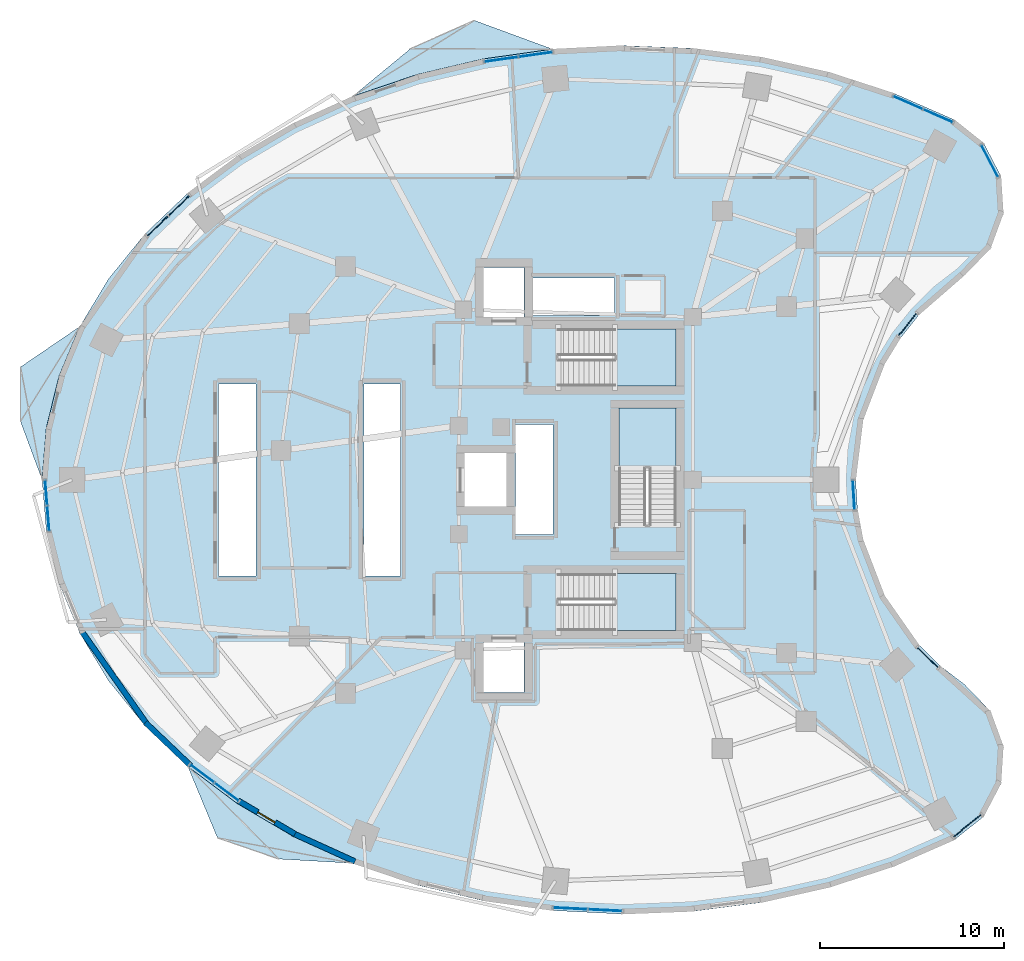
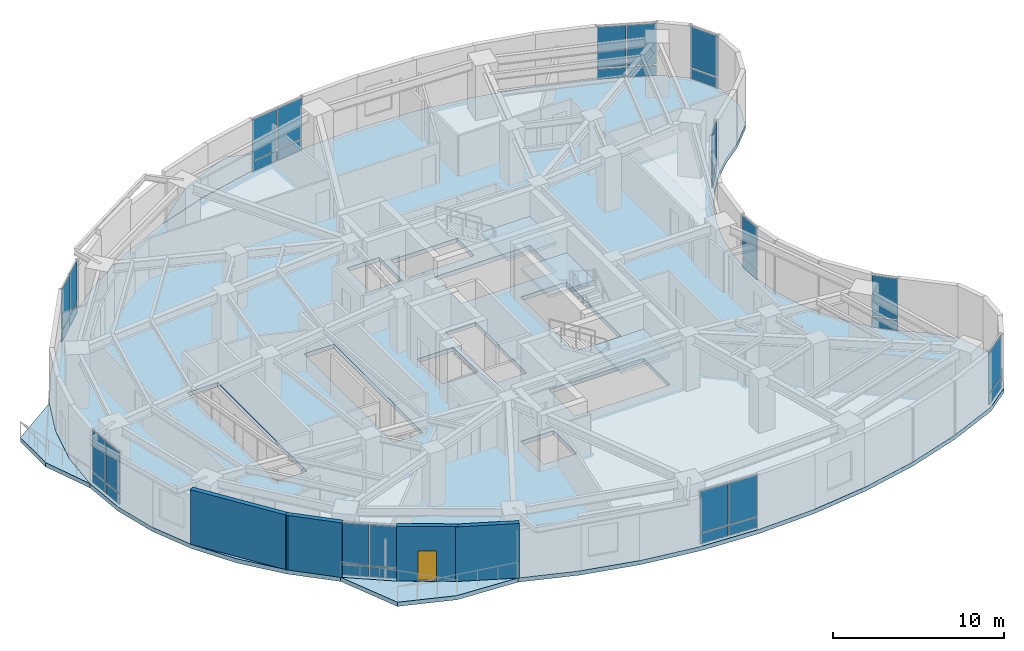
# One storey, part 7 of 14: 34 plates, 7 slabs, 4 walls, 1 door, 1 opening, 14 elements without a shape of their own.
"""IFC4 building model written with IfcOpenShell, lengths in metres."""

from ifc_helpers import new_model, si_unit, direction, frame, frame_2d, origin, origin_2d, place, context, subcontext, project, spatial, polyline, rectangle, outline, extrude, material, layer, layer_set, type_object, element, fill, aggregate, save


model = new_model("IFC4")

# Units and contexts
model_context = context("Model", 3, precision=1e-05, world=origin(), true_north=direction((0.0, 1.0)))
body_context = subcontext(model_context, "Body", "Model", "MODEL_VIEW")
ifc_project = project(units=[si_unit("LENGTHUNIT", "METRE"), si_unit("AREAUNIT", "SQUARE_METRE"), si_unit("VOLUMEUNIT", "CUBIC_METRE"), si_unit("PLANEANGLEUNIT", "RADIAN"), si_unit("MASSUNIT", "GRAM", prefix="KILO")], contexts=[model_context])

# Site, building, storey
site_placement = place(None, origin())
site = spatial("IfcSite", under=ifc_project, at=site_placement, CompositionType="ELEMENT")
building_placement = place(site_placement, origin())
building = spatial("IfcBuilding", under=site, at=building_placement, Name="Korentha Bioscience Tower", CompositionType="ELEMENT")
storey_placement = place(building_placement, frame((0.0, 0.0, 51.0)))
storey = spatial("IfcBuildingStorey", under=building, at=storey_placement, Name="L11", CompositionType="ELEMENT", Elevation=51.0)

# Curtain wall, plates
ifc_material_1 = material(Name="Thermally Broken Aluminium Frame", Category="aluminium")
ifc_layer_1 = layer(ifc_material_1, 0.219970703125, Name="Thermally Broken Aluminium Frame")
ifc_layer_set_1 = layer_set([ifc_layer_1], Name="Thermally Broken Aluminium Frame (CW-T1)")
curtain_wall_type = type_object("IfcCurtainWallType", Name="Standard Bioscience Lab Unitised Curtain Wall CW-T1", PredefinedType="USERDEFINED", material=ifc_layer_set_1)
curtain_wall_1_placement = place(storey_placement, origin())
curtain_wall_1 = element("IfcCurtainWall", 1, at=curtain_wall_1_placement, inside=storey, type_object=curtain_wall_type, Name="L11 Curtain Wall 01", ObjectType="UNITISED", PredefinedType="USERDEFINED")
ifc_material_2 = material(Name="Triple-Glazed Low-E Insulated Glass", Category="glass")
ifc_layer_2 = layer(ifc_material_2, 0.0439453125, Name="Triple-Glazed Low-E Insulated Glass")
ifc_layer_set_2 = layer_set([ifc_layer_2], Name="Triple-Glazed Low-E Insulated Glass (GL-44)")
plate_type = type_object("IfcPlateType", Name="Glazed Panel 44mm", PredefinedType="CURTAIN_PANEL", material=ifc_layer_set_2)
plate_1_placement = place(storey_placement, frame((50.893310546875, 46.780029296875, 0.08984375), z_axis=(0.0, 0.0, 1.0), x_axis=(-0.91593909057, 0.401317308828, 0.0)))
plate_1 = element("IfcPlate", 2, at=plate_1_placement, type_object=plate_type, Name="CW-L11-01 Bay 1 Glazed Panel 1", PredefinedType="CURTAIN_PANEL", context=body_context, shape_type="SweptSolid", body=[
    extrude(rectangle(XDim=1.701171875, YDim=0.0439453125, at=origin_2d()), origin(), (0.0, 0.0, 1.0), 0.715087890625),
])
plate_2_placement = place(storey_placement, frame((50.893310546875, 46.780029296875, 0.89501953125), z_axis=(0.0, 0.0, 1.0), x_axis=(-0.91593909057, 0.401317308828, 0.0)))
plate_2 = element("IfcPlate", 3, at=plate_2_placement, type_object=plate_type, Name="CW-L11-01 Bay 1 Glazed Panel 2", PredefinedType="CURTAIN_PANEL", context=body_context, shape_type="SweptSolid", body=[
    extrude(rectangle(XDim=1.701171875, YDim=0.0439453125, at=origin_2d()), origin(), (0.0, 0.0, 1.0), 2.9150390625),
])
plate_3_placement = place(storey_placement, frame((49.25244140625, 47.498779296875, 0.08984375), z_axis=(0.0, 0.0, 1.0), x_axis=(-0.91593909057, 0.401317308828, 0.0)))
plate_3 = element("IfcPlate", 4, at=plate_3_placement, type_object=plate_type, Name="CW-L11-01 Bay 2 Glazed Panel 1", PredefinedType="CURTAIN_PANEL", context=body_context, shape_type="SweptSolid", body=[
    extrude(rectangle(XDim=1.701171875, YDim=0.0439453125, at=origin_2d()), origin(), (0.0, 0.0, 1.0), 0.715087890625),
])
plate_4_placement = place(storey_placement, frame((49.25244140625, 47.498779296875, 0.89501953125), z_axis=(0.0, 0.0, 1.0), x_axis=(-0.91593909057, 0.401317308828, 0.0)))
plate_4 = element("IfcPlate", 5, at=plate_4_placement, type_object=plate_type, Name="CW-L11-01 Bay 2 Glazed Panel 2", PredefinedType="CURTAIN_PANEL", context=body_context, shape_type="SweptSolid", body=[
    extrude(rectangle(XDim=1.701171875, YDim=0.0439453125, at=origin_2d()), origin(), (0.0, 0.0, 1.0), 2.9150390625),
])
aggregate(curtain_wall_1, [plate_1, plate_2, plate_3, plate_4])

curtain_wall_2_placement = place(storey_placement, origin())
curtain_wall_2 = element("IfcCurtainWall", 6, at=curtain_wall_2_placement, inside=storey, type_object=curtain_wall_type, Name="L11 Curtain Wall 07", ObjectType="UNITISED", PredefinedType="USERDEFINED")
plate_5_placement = place(storey_placement, frame((29.0224609375, 50.11572265625, 0.08984375), z_axis=(0.0, 0.0, 1.0), x_axis=(-0.990167372968, -0.139887717511, 0.0)))
plate_5 = element("IfcPlate", 7, at=plate_5_placement, type_object=plate_type, Name="CW-L11-07 Bay 1 Glazed Panel 1", PredefinedType="CURTAIN_PANEL", context=body_context, shape_type="SweptSolid", body=[
    extrude(rectangle(XDim=1.800537109375, YDim=0.0439453125, at=origin_2d()), origin(), (0.0, 0.0, 1.0), 0.715087890625),
])
plate_6_placement = place(storey_placement, frame((29.0224609375, 50.11572265625, 0.89501953125), z_axis=(0.0, 0.0, 1.0), x_axis=(-0.990167372968, -0.139887717511, 0.0)))
plate_6 = element("IfcPlate", 8, at=plate_6_placement, type_object=plate_type, Name="CW-L11-07 Bay 1 Glazed Panel 2", PredefinedType="CURTAIN_PANEL", context=body_context, shape_type="SweptSolid", body=[
    extrude(rectangle(XDim=1.800537109375, YDim=0.0439453125, at=origin_2d()), origin(), (0.0, 0.0, 1.0), 2.9150390625),
])
plate_7_placement = place(storey_placement, frame((27.150634765625, 49.851318359375, 0.08984375), z_axis=(0.0, 0.0, 1.0), x_axis=(-0.990167372968, -0.139887717511, 0.0)))
plate_7 = element("IfcPlate", 9, at=plate_7_placement, type_object=plate_type, Name="CW-L11-07 Bay 2 Glazed Panel 1", PredefinedType="CURTAIN_PANEL", context=body_context, shape_type="SweptSolid", body=[
    extrude(rectangle(XDim=1.800537109375, YDim=0.0439453125, at=origin_2d()), origin(), (0.0, 0.0, 1.0), 0.715087890625),
])
plate_8_placement = place(storey_placement, frame((27.150634765625, 49.851318359375, 0.89501953125), z_axis=(0.0, 0.0, 1.0), x_axis=(-0.990167372968, -0.139887717511, 0.0)))
plate_8 = element("IfcPlate", 10, at=plate_8_placement, type_object=plate_type, Name="CW-L11-07 Bay 2 Glazed Panel 2", PredefinedType="CURTAIN_PANEL", context=body_context, shape_type="SweptSolid", body=[
    extrude(rectangle(XDim=1.800537109375, YDim=0.0439453125, at=origin_2d()), origin(), (0.0, 0.0, 1.0), 2.9150390625),
])
aggregate(curtain_wall_2, [plate_5, plate_6, plate_7, plate_8])

curtain_wall_3_placement = place(storey_placement, origin())
curtain_wall_3 = element("IfcCurtainWall", 11, at=curtain_wall_3_placement, inside=storey, type_object=curtain_wall_type, Name="L11 Curtain Wall 13", ObjectType="UNITISED", PredefinedType="USERDEFINED")
plate_9_placement = place(storey_placement, frame((9.643798828125, 41.9091796875, 0.08984375), z_axis=(0.0, 0.0, 1.0), x_axis=(-0.723641761581, -0.690175775361, 0.0)))
plate_9 = element("IfcPlate", 12, at=plate_9_placement, type_object=plate_type, Name="CW-L11-13 Bay 1 Glazed Panel 1", PredefinedType="CURTAIN_PANEL", context=body_context, shape_type="SweptSolid", body=[
    extrude(rectangle(XDim=1.5263671875, YDim=0.0439453125, at=origin_2d()), origin(), (0.0, 0.0, 1.0), 0.715087890625),
])
plate_10_placement = place(storey_placement, frame((9.643798828125, 41.9091796875, 0.89501953125), z_axis=(0.0, 0.0, 1.0), x_axis=(-0.723641761581, -0.690175775361, 0.0)))
plate_10 = element("IfcPlate", 13, at=plate_10_placement, type_object=plate_type, Name="CW-L11-13 Bay 1 Glazed Panel 2", PredefinedType="CURTAIN_PANEL", context=body_context, shape_type="SweptSolid", body=[
    extrude(rectangle(XDim=1.5263671875, YDim=0.0439453125, at=origin_2d()), origin(), (0.0, 0.0, 1.0), 2.9150390625),
])
plate_11_placement = place(storey_placement, frame((8.47412109375, 40.793701171875, 0.08984375), z_axis=(0.0, 0.0, 1.0), x_axis=(-0.723641761581, -0.690175775361, 0.0)))
plate_11 = element("IfcPlate", 14, at=plate_11_placement, type_object=plate_type, Name="CW-L11-13 Bay 2 Glazed Panel 1", PredefinedType="CURTAIN_PANEL", context=body_context, shape_type="SweptSolid", body=[
    extrude(rectangle(XDim=1.5263671875, YDim=0.0439453125, at=origin_2d()), origin(), (0.0, 0.0, 1.0), 0.715087890625),
])
plate_12_placement = place(storey_placement, frame((8.47412109375, 40.793701171875, 0.89501953125), z_axis=(0.0, 0.0, 1.0), x_axis=(-0.723641761581, -0.690175775361, 0.0)))
plate_12 = element("IfcPlate", 15, at=plate_12_placement, type_object=plate_type, Name="CW-L11-13 Bay 2 Glazed Panel 2", PredefinedType="CURTAIN_PANEL", context=body_context, shape_type="SweptSolid", body=[
    extrude(rectangle(XDim=1.5263671875, YDim=0.0439453125, at=origin_2d()), origin(), (0.0, 0.0, 1.0), 2.9150390625),
])
aggregate(curtain_wall_3, [plate_9, plate_10, plate_11, plate_12])

curtain_wall_4_placement = place(storey_placement, origin())
curtain_wall_4 = element("IfcCurtainWall", 16, at=curtain_wall_4_placement, inside=storey, type_object=curtain_wall_type, Name="L11 Curtain Wall 19", ObjectType="UNITISED", PredefinedType="USERDEFINED")
plate_13_placement = place(storey_placement, frame((2.4169921875, 26.302734375, 0.08984375), z_axis=(0.0, 0.0, 1.0), x_axis=(0.080820466375, -0.996728675325, 0.0)))
plate_13 = element("IfcPlate", 17, at=plate_13_placement, type_object=plate_type, Name="CW-L11-19 Bay 1 Glazed Panel 1", PredefinedType="CURTAIN_PANEL", context=body_context, shape_type="SweptSolid", body=[
    extrude(rectangle(XDim=1.324951171875, YDim=0.0439453125, at=origin_2d()), origin(), (0.0, 0.0, 1.0), 0.715087890625),
])
plate_14_placement = place(storey_placement, frame((2.4169921875, 26.302734375, 0.89501953125), z_axis=(0.0, 0.0, 1.0), x_axis=(0.080820466375, -0.996728675325, 0.0)))
plate_14 = element("IfcPlate", 18, at=plate_14_placement, type_object=plate_type, Name="CW-L11-19 Bay 1 Glazed Panel 2", PredefinedType="CURTAIN_PANEL", context=body_context, shape_type="SweptSolid", body=[
    extrude(rectangle(XDim=1.324951171875, YDim=0.0439453125, at=origin_2d()), origin(), (0.0, 0.0, 1.0), 2.9150390625),
])
plate_15_placement = place(storey_placement, frame((2.531494140625, 24.892333984375, 0.08984375), z_axis=(0.0, 0.0, 1.0), x_axis=(0.080820466375, -0.996728675325, 0.0)))
plate_15 = element("IfcPlate", 19, at=plate_15_placement, type_object=plate_type, Name="CW-L11-19 Bay 2 Glazed Panel 1", PredefinedType="CURTAIN_PANEL", context=body_context, shape_type="SweptSolid", body=[
    extrude(rectangle(XDim=1.324951171875, YDim=0.0439453125, at=origin_2d()), origin(), (0.0, 0.0, 1.0), 0.715087890625),
])
plate_16_placement = place(storey_placement, frame((2.531494140625, 24.892333984375, 0.89501953125), z_axis=(0.0, 0.0, 1.0), x_axis=(0.080820466375, -0.996728675325, 0.0)))
plate_16 = element("IfcPlate", 20, at=plate_16_placement, type_object=plate_type, Name="CW-L11-19 Bay 2 Glazed Panel 2", PredefinedType="CURTAIN_PANEL", context=body_context, shape_type="SweptSolid", body=[
    extrude(rectangle(XDim=1.324951171875, YDim=0.0439453125, at=origin_2d()), origin(), (0.0, 0.0, 1.0), 2.9150390625),
])
aggregate(curtain_wall_4, [plate_13, plate_14, plate_15, plate_16])

curtain_wall_5_placement = place(storey_placement, origin())
curtain_wall_5 = element("IfcCurtainWall", 21, at=curtain_wall_5_placement, inside=storey, type_object=curtain_wall_type, Name="L11 Curtain Wall 25", ObjectType="UNITISED", PredefinedType="USERDEFINED")
plate_17_placement = place(storey_placement, frame((10.892578125, 11.037109375, 0.08984375), z_axis=(0.0, 0.0, 1.0), x_axis=(0.800797909614, -0.598934644145, 0.0)))
plate_17 = element("IfcPlate", 22, at=plate_17_placement, type_object=plate_type, Name="CW-L11-25 Bay 1 Glazed Panel 1", PredefinedType="CURTAIN_PANEL", context=body_context, shape_type="SweptSolid", body=[
    extrude(rectangle(XDim=1.58544921875, YDim=0.0439453125, at=origin_2d()), origin(), (0.0, 0.0, 1.0), 0.715087890625),
])
plate_18_placement = place(storey_placement, frame((10.892578125, 11.037109375, 0.89501953125), z_axis=(0.0, 0.0, 1.0), x_axis=(0.800797909614, -0.598934644145, 0.0)))
plate_18 = element("IfcPlate", 23, at=plate_18_placement, type_object=plate_type, Name="CW-L11-25 Bay 1 Glazed Panel 2", PredefinedType="CURTAIN_PANEL", context=body_context, shape_type="SweptSolid", body=[
    extrude(rectangle(XDim=1.58544921875, YDim=0.0439453125, at=origin_2d()), origin(), (0.0, 0.0, 1.0), 2.9150390625),
])
plate_19_placement = place(storey_placement, frame((12.234375, 10.033447265625, 0.08984375), z_axis=(0.0, 0.0, 1.0), x_axis=(0.800797909614, -0.598934644145, 0.0)))
plate_19 = element("IfcPlate", 24, at=plate_19_placement, type_object=plate_type, Name="CW-L11-25 Bay 2 Glazed Panel 1", PredefinedType="CURTAIN_PANEL", context=body_context, shape_type="SweptSolid", body=[
    extrude(rectangle(XDim=1.58544921875, YDim=0.0439453125, at=origin_2d()), origin(), (0.0, 0.0, 1.0), 0.715087890625),
])
plate_20_placement = place(storey_placement, frame((12.234375, 10.033447265625, 0.89501953125), z_axis=(0.0, 0.0, 1.0), x_axis=(0.800797909614, -0.598934644145, 0.0)))
plate_20 = element("IfcPlate", 25, at=plate_20_placement, type_object=plate_type, Name="CW-L11-25 Bay 2 Glazed Panel 2", PredefinedType="CURTAIN_PANEL", context=body_context, shape_type="SweptSolid", body=[
    extrude(rectangle(XDim=1.58544921875, YDim=0.0439453125, at=origin_2d()), origin(), (0.0, 0.0, 1.0), 2.9150390625),
])
aggregate(curtain_wall_5, [plate_17, plate_18, plate_19, plate_20])

curtain_wall_6_placement = place(storey_placement, origin())
curtain_wall_6 = element("IfcCurtainWall", 26, at=curtain_wall_6_placement, inside=storey, type_object=curtain_wall_type, Name="L11 Curtain Wall 31", ObjectType="UNITISED", PredefinedType="USERDEFINED")
plate_21_placement = place(storey_placement, frame((30.90478515625, 3.70458984375, 0.08984375), z_axis=(0.0, 0.0, 1.0), x_axis=(0.998730551641, -0.050371472279, 0.0)))
plate_21 = element("IfcPlate", 27, at=plate_21_placement, type_object=plate_type, Name="CW-L11-31 Bay 1 Glazed Panel 1", PredefinedType="CURTAIN_PANEL", context=body_context, shape_type="SweptSolid", body=[
    extrude(rectangle(XDim=1.8134765625, YDim=0.0439453125, at=origin_2d()), origin(), (0.0, 0.0, 1.0), 0.715087890625),
])
plate_22_placement = place(storey_placement, frame((30.90478515625, 3.70458984375, 0.89501953125), z_axis=(0.0, 0.0, 1.0), x_axis=(0.998730551641, -0.050371472279, 0.0)))
plate_22 = element("IfcPlate", 28, at=plate_22_placement, type_object=plate_type, Name="CW-L11-31 Bay 1 Glazed Panel 2", PredefinedType="CURTAIN_PANEL", context=body_context, shape_type="SweptSolid", body=[
    extrude(rectangle(XDim=1.8134765625, YDim=0.0439453125, at=origin_2d()), origin(), (0.0, 0.0, 1.0), 2.9150390625),
])
plate_23_placement = place(storey_placement, frame((32.805908203125, 3.608642578125, 0.08984375), z_axis=(0.0, 0.0, 1.0), x_axis=(0.998730551641, -0.050371472279, 0.0)))
plate_23 = element("IfcPlate", 29, at=plate_23_placement, type_object=plate_type, Name="CW-L11-31 Bay 2 Glazed Panel 1", PredefinedType="CURTAIN_PANEL", context=body_context, shape_type="SweptSolid", body=[
    extrude(rectangle(XDim=1.8134765625, YDim=0.0439453125, at=origin_2d()), origin(), (0.0, 0.0, 1.0), 0.715087890625),
])
plate_24_placement = place(storey_placement, frame((32.805908203125, 3.608642578125, 0.89501953125), z_axis=(0.0, 0.0, 1.0), x_axis=(0.998730551641, -0.050371472279, 0.0)))
plate_24 = element("IfcPlate", 30, at=plate_24_placement, type_object=plate_type, Name="CW-L11-31 Bay 2 Glazed Panel 2", PredefinedType="CURTAIN_PANEL", context=body_context, shape_type="SweptSolid", body=[
    extrude(rectangle(XDim=1.8134765625, YDim=0.0439453125, at=origin_2d()), origin(), (0.0, 0.0, 1.0), 2.9150390625),
])
aggregate(curtain_wall_6, [plate_21, plate_22, plate_23, plate_24])

curtain_wall_7_placement = place(storey_placement, origin())
curtain_wall_7 = element("IfcCurtainWall", 31, at=curtain_wall_7_placement, inside=storey, type_object=curtain_wall_type, Name="L11 Curtain Wall 37", ObjectType="UNITISED", PredefinedType="USERDEFINED")
plate_25_placement = place(storey_placement, frame((52.4755859375, 8.19140625, 0.08984375), z_axis=(0.0, 0.0, 1.0), x_axis=(0.782287851332, 0.62291710336, 0.0)))
plate_25 = element("IfcPlate", 32, at=plate_25_placement, type_object=plate_type, Name="CW-L11-37 Bay 1 Glazed Panel 1", PredefinedType="CURTAIN_PANEL", context=body_context, shape_type="SweptSolid", body=[
    extrude(rectangle(XDim=1.927734375, YDim=0.0439453125, at=origin_2d()), origin(), (0.0, 0.0, 1.0), 0.715087890625),
])
plate_26_placement = place(storey_placement, frame((52.4755859375, 8.19140625, 0.89501953125), z_axis=(0.0, 0.0, 1.0), x_axis=(0.782287851332, 0.62291710336, 0.0)))
plate_26 = element("IfcPlate", 33, at=plate_26_placement, type_object=plate_type, Name="CW-L11-37 Bay 1 Glazed Panel 2", PredefinedType="CURTAIN_PANEL", context=body_context, shape_type="SweptSolid", body=[
    extrude(rectangle(XDim=1.927734375, YDim=0.0439453125, at=origin_2d()), origin(), (0.0, 0.0, 1.0), 2.9150390625),
])
aggregate(curtain_wall_7, [plate_25, plate_26])

curtain_wall_8_placement = place(storey_placement, origin())
curtain_wall_8 = element("IfcCurtainWall", 34, at=curtain_wall_8_placement, inside=storey, type_object=curtain_wall_type, Name="L11 Curtain Wall 43", ObjectType="UNITISED", PredefinedType="USERDEFINED")
plate_27_placement = place(storey_placement, frame((50.333251953125, 17.335693359375, 0.08984375), z_axis=(0.0, 0.0, 1.0), x_axis=(-0.713279246754, 0.700879958445, 0.0)))
plate_27 = element("IfcPlate", 35, at=plate_27_placement, type_object=plate_type, Name="CW-L11-43 Bay 1 Glazed Panel 1", PredefinedType="CURTAIN_PANEL", context=body_context, shape_type="SweptSolid", body=[
    extrude(rectangle(XDim=1.537841796875, YDim=0.0439453125, at=origin_2d()), origin(), (0.0, 0.0, 1.0), 0.715087890625),
])
plate_28_placement = place(storey_placement, frame((50.333251953125, 17.335693359375, 0.89501953125), z_axis=(0.0, 0.0, 1.0), x_axis=(-0.713279246754, 0.700879958445, 0.0)))
plate_28 = element("IfcPlate", 36, at=plate_28_placement, type_object=plate_type, Name="CW-L11-43 Bay 1 Glazed Panel 2", PredefinedType="CURTAIN_PANEL", context=body_context, shape_type="SweptSolid", body=[
    extrude(rectangle(XDim=1.537841796875, YDim=0.0439453125, at=origin_2d()), origin(), (0.0, 0.0, 1.0), 2.9150390625),
])
aggregate(curtain_wall_8, [plate_27, plate_28])

curtain_wall_9_placement = place(storey_placement, origin())
curtain_wall_9 = element("IfcCurtainWall", 37, at=curtain_wall_9_placement, inside=storey, type_object=curtain_wall_type, Name="L11 Curtain Wall 49", ObjectType="UNITISED", PredefinedType="USERDEFINED")
plate_29_placement = place(storey_placement, frame((46.305908203125, 26.1728515625, 0.08984375), z_axis=(0.0, 0.0, 1.0), x_axis=(-0.061008272998, 0.998137260413, 0.0)))
plate_29 = element("IfcPlate", 38, at=plate_29_placement, type_object=plate_type, Name="CW-L11-49 Bay 1 Glazed Panel 1", PredefinedType="CURTAIN_PANEL", context=body_context, shape_type="SweptSolid", body=[
    extrude(rectangle(XDim=1.537841796875, YDim=0.0439453125, at=origin_2d()), origin(), (0.0, 0.0, 1.0), 0.715087890625),
])
plate_30_placement = place(storey_placement, frame((46.305908203125, 26.1728515625, 0.89501953125), z_axis=(0.0, 0.0, 1.0), x_axis=(-0.061008272998, 0.998137260413, 0.0)))
plate_30 = element("IfcPlate", 39, at=plate_30_placement, type_object=plate_type, Name="CW-L11-49 Bay 1 Glazed Panel 2", PredefinedType="CURTAIN_PANEL", context=body_context, shape_type="SweptSolid", body=[
    extrude(rectangle(XDim=1.537841796875, YDim=0.0439453125, at=origin_2d()), origin(), (0.0, 0.0, 1.0), 2.9150390625),
])
aggregate(curtain_wall_9, [plate_29, plate_30])

curtain_wall_10_placement = place(storey_placement, origin())
curtain_wall_10 = element("IfcCurtainWall", 40, at=curtain_wall_10_placement, inside=storey, type_object=curtain_wall_type, Name="L11 Curtain Wall 55", ObjectType="UNITISED", PredefinedType="USERDEFINED")
plate_31_placement = place(storey_placement, frame((49.226318359375, 35.434814453125, 0.08984375), z_axis=(0.0, 0.0, 1.0), x_axis=(0.622520324648, 0.782603632371, 0.0)))
plate_31 = element("IfcPlate", 41, at=plate_31_placement, type_object=plate_type, Name="CW-L11-55 Bay 1 Glazed Panel 1", PredefinedType="CURTAIN_PANEL", context=body_context, shape_type="SweptSolid", body=[
    extrude(rectangle(XDim=1.537841796875, YDim=0.0439453125, at=origin_2d()), origin(), (0.0, 0.0, 1.0), 0.715087890625),
])
plate_32_placement = place(storey_placement, frame((49.226318359375, 35.434814453125, 0.89501953125), z_axis=(0.0, 0.0, 1.0), x_axis=(0.622520324648, 0.782603632371, 0.0)))
plate_32 = element("IfcPlate", 42, at=plate_32_placement, type_object=plate_type, Name="CW-L11-55 Bay 1 Glazed Panel 2", PredefinedType="CURTAIN_PANEL", context=body_context, shape_type="SweptSolid", body=[
    extrude(rectangle(XDim=1.537841796875, YDim=0.0439453125, at=origin_2d()), origin(), (0.0, 0.0, 1.0), 2.9150390625),
])
aggregate(curtain_wall_10, [plate_31, plate_32])

curtain_wall_11_placement = place(storey_placement, origin())
curtain_wall_11 = element("IfcCurtainWall", 43, at=curtain_wall_11_placement, inside=storey, type_object=curtain_wall_type, Name="L11 Curtain Wall 61", ObjectType="UNITISED", PredefinedType="USERDEFINED")
plate_33_placement = place(storey_placement, frame((53.6962890625, 44.32958984375, 0.08984375), z_axis=(0.0, 0.0, 1.0), x_axis=(-0.463008597697, 0.886353788539, 0.0)))
plate_33 = element("IfcPlate", 44, at=plate_33_placement, type_object=plate_type, Name="CW-L11-61 Bay 1 Glazed Panel 1", PredefinedType="CURTAIN_PANEL", context=body_context, shape_type="SweptSolid", body=[
    extrude(rectangle(XDim=1.927734375, YDim=0.0439453125, at=origin_2d()), origin(), (0.0, 0.0, 1.0), 0.715087890625),
])
plate_34_placement = place(storey_placement, frame((53.6962890625, 44.32958984375, 0.89501953125), z_axis=(0.0, 0.0, 1.0), x_axis=(-0.463008597697, 0.886353788539, 0.0)))
plate_34 = element("IfcPlate", 45, at=plate_34_placement, type_object=plate_type, Name="CW-L11-61 Bay 1 Glazed Panel 2", PredefinedType="CURTAIN_PANEL", context=body_context, shape_type="SweptSolid", body=[
    extrude(rectangle(XDim=1.927734375, YDim=0.0439453125, at=origin_2d()), origin(), (0.0, 0.0, 1.0), 2.9150390625),
])
aggregate(curtain_wall_11, [plate_33, plate_34])

# Slab
ifc_material_3 = material(Name="Concrete C50", Category="concrete")
ifc_layer_3 = layer(ifc_material_3, 0.300048828125, Name="Concrete C50")
ifc_layer_set_3 = layer_set([ifc_layer_3], Name="Concrete C50 (SL-L300)")
slab_type_1 = type_object("IfcSlabType", Name="Laboratory Vibration-Controlled Slab 300", PredefinedType="FLOOR", material=ifc_layer_set_3)
slab_1_placement = place(storey_placement, frame((0.0, 0.0, -0.300048828125)))
element("IfcSlab", 46, at=slab_1_placement, inside=storey, type_object=slab_type_1, Name="L11 Tower Structural Floor Slab", PredefinedType="FLOOR", context=body_context, shape_type="SweptSolid", body=[
    extrude(outline(polyline([(51.7822265625, 46.565185546875), (48.49169921875, 48.0068359375), (44.9921875, 49.145263671875), (41.33349609375, 49.9638671875), (37.569091796875, 50.450927734375), (33.75341796875, 50.599365234375), (29.94091796875, 50.406982421875), (26.187255859375, 49.876708984375), (22.54638671875, 49.01611328125), (19.07080078125, 47.837646484375), (15.810791015625, 46.358154296875), (12.8134765625, 44.599365234375), (10.1220703125, 42.58642578125), (7.775390625, 40.348388671875), (5.807373046875, 37.91748046875), (4.246337890625, 35.3291015625), (3.114990234375, 32.62060546875), (2.4296875, 29.830810546875), (2.199951171875, 27.0), (2.4296875, 24.169189453125), (3.114990234375, 21.37939453125), (4.246337890625, 18.6708984375), (5.807373046875, 16.08251953125), (7.775390625, 13.651611328125), (10.1220703125, 11.41357421875), (12.8134765625, 9.400634765625), (15.810791015625, 7.641845703125), (19.07080078125, 6.162353515625), (22.54638671875, 4.98388671875), (26.187255859375, 4.123291015625), (29.94091796875, 3.593017578125), (33.75341796875, 3.400634765625), (37.569091796875, 3.549072265625), (41.33349609375, 4.0361328125), (44.9921875, 4.854736328125), (48.49169921875, 5.9931640625), (51.7822265625, 7.434814453125), (53.368408203125, 8.69775390625), (54.307373046875, 10.4951171875), (54.4384765625, 12.518310546875), (53.739013671875, 14.421630859375), (52.3291015625, 15.878662109375), (51.029541015625, 16.875732421875), (49.861328125, 18.023681640625), (48.841796875, 19.3056640625), (47.98583984375, 20.7021484375), (47.306640625, 22.192626953125), (46.814208984375, 23.754638671875), (46.515625, 25.365234375), (46.415771484375, 27.0), (46.515625, 28.634765625), (46.814208984375, 30.245361328125), (47.306640625, 31.807373046875), (47.98583984375, 33.2978515625), (48.841796875, 34.6943359375), (49.861328125, 35.976318359375), (51.029541015625, 37.124267578125), (52.3291015625, 38.121337890625), (53.739013671875, 39.578369140625), (54.4384765625, 41.481689453125), (54.307373046875, 43.5048828125), (53.368408203125, 45.30224609375), (51.7822265625, 46.565185546875)]), holes=[polyline([(30.25, 32.10009765625), (36.64990234375, 32.10009765625), (36.64990234375, 35.199951171875), (30.25, 35.199951171875), (30.25, 32.10009765625)]), polyline([(30.25, 18.800048828125), (36.64990234375, 18.800048828125), (36.64990234375, 21.89990234375), (30.25, 21.89990234375), (30.25, 18.800048828125)]), polyline([(36.64990234375, 24.550048828125), (36.64990234375, 30.89990234375), (33.550048828125, 30.89990234375), (33.550048828125, 24.550048828125), (36.64990234375, 24.550048828125)]), polyline([(11.780029296875, 21.780029296875), (13.820068359375, 21.780029296875), (13.820068359375, 32.219970703125), (11.780029296875, 32.219970703125), (11.780029296875, 21.780029296875)]), polyline([(19.679931640625, 21.780029296875), (21.669921875, 21.780029296875), (21.669921875, 32.219970703125), (19.679931640625, 32.219970703125), (19.679931640625, 21.780029296875)]), polyline([(27.929931640625, 24.030029296875), (29.969970703125, 24.030029296875), (29.969970703125, 30.02001953125), (27.929931640625, 30.02001953125), (27.929931640625, 24.030029296875)]), polyline([(28.860107421875, 35.93994140625), (33.31005859375, 35.93994140625), (33.31005859375, 37.9599609375), (28.860107421875, 37.9599609375), (28.860107421875, 35.93994140625)]), polyline([(26.199951171875, 15.449951171875), (28.39990234375, 15.449951171875), (28.39990234375, 18.14990234375), (26.199951171875, 18.14990234375), (26.199951171875, 15.449951171875)]), polyline([(26.199951171875, 35.85009765625), (28.39990234375, 35.85009765625), (28.39990234375, 38.550048828125), (26.199951171875, 38.550048828125), (26.199951171875, 35.85009765625)]), polyline([(25.14990234375, 25.550048828125), (27.550048828125, 25.550048828125), (27.550048828125, 28.449951171875), (25.14990234375, 28.449951171875), (25.14990234375, 25.550048828125)])]), origin(), (0.0, 0.0, 1.0), 0.300048828125),
])

# Stair, slab
ifc_material_4 = material(Name="Precast Concrete C50", Category="concrete")
stair_type = type_object("IfcStairType", Name="Core Exit Dog-Leg Stair 1450", PredefinedType="HALF_TURN_STAIR", material=ifc_material_4)
stair_1_placement = place(storey_placement, origin())
stair_1 = element("IfcStair", 47, at=stair_1_placement, inside=storey, type_object=stair_type, Name="L11 Tower North Pressurized Exit Stair ST-1", PredefinedType="HALF_TURN_STAIR")
ifc_layer_4 = layer(ifc_material_3, 0.199951171875, Name="Concrete C50")
ifc_layer_set_4 = layer_set([ifc_layer_4], Name="Concrete C50 (SL-LND)")
slab_type_2 = type_object("IfcSlabType", Name="Landing Slab 200", PredefinedType="LANDING", material=ifc_layer_set_4)
slab_2_placement = place(storey_placement, frame((0.0, 0.0, 1.89990234375)))
slab_2 = element("IfcSlab", 48, at=slab_2_placement, type_object=slab_type_2, Name="ST-1 landing 1", PredefinedType="LANDING", context=body_context, shape_type="SweptSolid", body=[
    extrude(outline(polyline([(33.330078125, 32.10009765625), (36.64990234375, 32.10009765625), (36.64990234375, 35.199951171875), (33.330078125, 35.199951171875), (33.330078125, 32.10009765625)])), origin(), (0.0, 0.0, 1.0), 0.2001953125),
])
aggregate(stair_1, [slab_2])

stair_2_placement = place(storey_placement, origin())
stair_2 = element("IfcStair", 49, at=stair_2_placement, inside=storey, type_object=stair_type, Name="L11 Tower South Pressurized Exit Stair ST-2", PredefinedType="HALF_TURN_STAIR")
slab_3_placement = place(storey_placement, frame((0.0, 0.0, 1.89990234375)))
slab_3 = element("IfcSlab", 50, at=slab_3_placement, type_object=slab_type_2, Name="ST-2 landing 1", PredefinedType="LANDING", context=body_context, shape_type="SweptSolid", body=[
    extrude(outline(polyline([(33.330078125, 18.800048828125), (36.64990234375, 18.800048828125), (36.64990234375, 21.89990234375), (33.330078125, 21.89990234375), (33.330078125, 18.800048828125)])), origin(), (0.0, 0.0, 1.0), 0.2001953125),
])
aggregate(stair_2, [slab_3])

stair_3_placement = place(storey_placement, origin())
stair_3 = element("IfcStair", 51, at=stair_3_placement, inside=storey, type_object=stair_type, Name="L11 Tower Central Pressurized Exit Stair ST-3", PredefinedType="HALF_TURN_STAIR")
slab_4_placement = place(storey_placement, frame((0.0, 0.0, 1.89990234375)))
slab_4 = element("IfcSlab", 52, at=slab_4_placement, type_object=slab_type_2, Name="ST-3 landing 1", PredefinedType="LANDING", context=body_context, shape_type="SweptSolid", body=[
    extrude(outline(polyline([(36.64990234375, 27.6298828125), (36.64990234375, 30.89990234375), (33.550048828125, 30.89990234375), (33.550048828125, 27.6298828125), (36.64990234375, 27.6298828125)])), origin(), (0.0, 0.0, 1.0), 0.2001953125),
])
aggregate(stair_3, [slab_4])

# Slabs
ifc_layer_5 = layer(ifc_material_3, 0.300048828125, Name="Concrete C50")
ifc_layer_set_5 = layer_set([ifc_layer_5], Name="Concrete C50 (BS-240)")
slab_type_3 = type_object("IfcSlabType", Name="Sawtooth Sun-Ledge Balcony Slab 240", PredefinedType="USERDEFINED", material=ifc_layer_set_5)
slab_5_placement = place(storey_placement, frame((0.0, 0.0, -0.300048828125)))
element("IfcSlab", 53, at=slab_5_placement, inside=storey, type_object=slab_type_3, Name="L11 Sun-Ledge Balcony 01", ObjectType="BALCONY", PredefinedType="USERDEFINED", context=body_context, shape_type="SweptSolid", body=[
    extrude(outline(polyline([(19.07080078125, 47.837646484375), (22.54638671875, 49.01611328125), (26.187255859375, 49.876708984375), (29.94091796875, 50.406982421875), (25.692626953125, 51.968994140625), (22.212890625, 50.42724609375), (19.07080078125, 47.837646484375)])), origin(), (0.0, 0.0, 1.0), 0.300048828125),
])
slab_6_placement = place(storey_placement, frame((0.0, 0.0, -0.300048828125)))
element("IfcSlab", 54, at=slab_6_placement, inside=storey, type_object=slab_type_3, Name="L11 Sun-Ledge Balcony 02", ObjectType="BALCONY", PredefinedType="USERDEFINED", context=body_context, shape_type="SweptSolid", body=[
    extrude(outline(polyline([(2.199951171875, 27.0), (2.4296875, 29.830810546875), (3.114990234375, 32.62060546875), (4.246337890625, 35.3291015625), (1.027099609375, 33.133544921875), (1.021484375, 30.176513671875), (2.199951171875, 27.0)])), origin(), (0.0, 0.0, 1.0), 0.300048828125),
])
slab_7_placement = place(storey_placement, frame((0.0, 0.0, -0.300048828125)))
element("IfcSlab", 55, at=slab_7_placement, inside=storey, type_object=slab_type_3, Name="L11 Sun-Ledge Balcony 03", ObjectType="BALCONY", PredefinedType="USERDEFINED", context=body_context, shape_type="SweptSolid", body=[
    extrude(outline(polyline([(19.07080078125, 6.162353515625), (15.810791015625, 7.641845703125), (12.8134765625, 9.400634765625), (10.1220703125, 11.41357421875), (11.725341796875, 7.54638671875), (15.076904296875, 6.39111328125), (19.07080078125, 6.162353515625)])), origin(), (0.0, 0.0, 1.0), 0.300048828125),
])

# Wall, opening, door
ifc_material_5 = material(Name="Honed Limestone Precast Concrete C40", Category="masonry")
ifc_layer_6 = layer(ifc_material_5, 0.300048828125, Name="Honed Limestone Precast Concrete C40")
ifc_layer_set_6 = layer_set([ifc_layer_6], Name="Honed Limestone Precast Concrete C40 (EW-ST300)")
wall_type = type_object("IfcWallType", Name="Honed Limestone Cavity Spandrel Wall 300", PredefinedType="STANDARD", material=ifc_layer_set_6)
wall_1_placement = place(storey_placement, frame((12.8427734375, 9.569091796875, 0.0), z_axis=(0.0, 0.0, 1.0), x_axis=(0.862473134325, -0.506102847817, 0.0)))
wall_1 = element("IfcWall", 56, at=wall_1_placement, inside=storey, type_object=wall_type, Name="L11 Balcony Threshold Wall 03", PredefinedType="STANDARD", context=body_context, shape_type="SweptSolid", body=[
    extrude(rectangle(XDim=3.59521484375, YDim=0.300048828125, at=frame_2d((1.797607421875, 0.0))), origin(), (0.0, 0.0, 1.0), 3.89990234375),
])
opening_placement = place(wall_1_placement, frame((1.24755859375, 0.0, 0.0)))
opening = element("IfcOpeningElement", 57, at=opening_placement, cuts=wall_1, Name="Opening BD-11L", PredefinedType="OPENING", context=body_context, shape_type="SweptSolid", body=[
    extrude(rectangle(XDim=1.10009765625, YDim=2.14990234375, at=frame_2d((0.550048828125, 1.074951171875))), frame((0.0, 0.1650390625, 0.0), z_axis=(0.0, -1.0, 0.0), x_axis=(1.0, 0.0, 0.0)), (0.0, 0.0, 1.0), 0.329833984375),
])
ifc_material_6 = material(Name="Thermally Broken Glazed Aluminium", Category="aluminium")
door_type = type_object("IfcDoorType", Name="Balcony Terrace Glazed Door 1100x2150 Left", OperationType="SINGLE_SWING_LEFT", PredefinedType="DOOR", material=ifc_material_6)
door_placement = place(opening_placement, origin())
door = element("IfcDoor", 58, at=door_placement, inside=storey, type_object=door_type, Name="L11 Balcony Access Door 03", OperationType="SINGLE_SWING_LEFT", OverallHeight=2.14990234375, OverallWidth=1.10009765625, PredefinedType="DOOR", context=body_context, shape_type="SweptSolid", body=[
    extrude(rectangle(XDim=1.10009765625, YDim=2.14990234375, at=frame_2d((0.550048828125, 1.074951171875))), frame((0.0, 0.02490234375, 0.0), z_axis=(0.0, -1.0, 0.0), x_axis=(1.0, 0.0, 0.0)), (0.0, 0.0, 1.0), 0.050048828125),
])
fill(opening, door)

# Walls
wall_2_placement = place(storey_placement, frame((4.314697265625, 18.81689453125, 0.0), z_axis=(0.0, 0.0, 1.0), x_axis=(0.575165804445, -0.818036855769, 0.0)))
element("IfcWall", 59, at=wall_2_placement, inside=storey, type_object=wall_type, Name="L11 Limestone Perimeter Closure Wall 22", PredefinedType="STANDARD", context=body_context, shape_type="SweptSolid", body=[
    extrude(rectangle(XDim=6.295654296875, YDim=0.300048828125, at=frame_2d((3.14794921875, 0.0))), origin(), (0.0, 0.0, 1.0), 3.89990234375),
])
wall_3_placement = place(storey_placement, frame((7.81396484375, 13.80810546875, 0.0), z_axis=(0.0, 0.0, 1.0), x_axis=(0.72369587847, -0.69011902994, 0.0)))
element("IfcWall", 60, at=wall_3_placement, inside=storey, type_object=wall_type, Name="L11 Limestone Perimeter Closure Wall 24", PredefinedType="STANDARD", context=body_context, shape_type="SweptSolid", body=[
    extrude(rectangle(XDim=3.40283203125, YDim=0.300048828125, at=frame_2d((1.701416015625, 0.0))), origin(), (0.0, 0.0, 1.0), 3.89990234375),
])
wall_4_placement = place(storey_placement, frame((15.7958984375, 7.80224609375, 0.0), z_axis=(0.0, 0.0, 1.0), x_axis=(0.910623406862, -0.413237233166, 0.0)))
element("IfcWall", 61, at=wall_4_placement, inside=storey, type_object=wall_type, Name="L11 Limestone Perimeter Closure Wall 27", PredefinedType="STANDARD", context=body_context, shape_type="SweptSolid", body=[
    extrude(rectangle(XDim=3.73974609375, YDim=0.300048828125, at=frame_2d((1.869873046875, 0.0))), origin(), (0.0, 0.0, 1.0), 3.89990234375),
])

save(model, "model.ifc")
